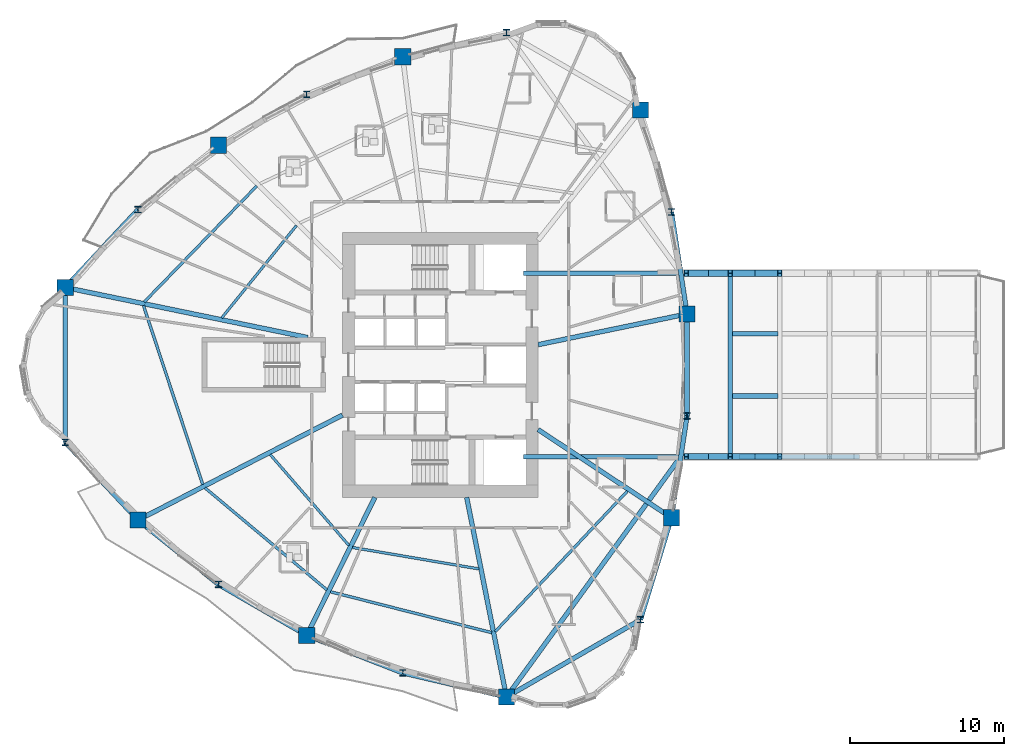
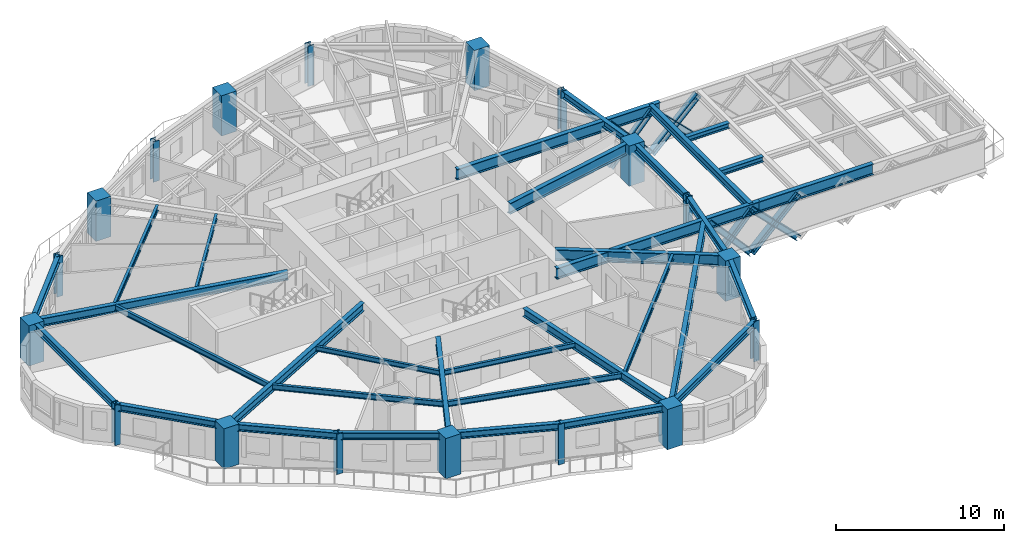
# One storey, part 1 of 16: 33 beams, 18 columns, 8 members.
"""IFC4 building model written with IfcOpenShell, lengths in metres."""

from ifc_helpers import new_model, si_unit, direction, frame, origin, origin_2d, place, context, subcontext, project, spatial, rectangle, i_section, extrude, source, transform, mapped, material, material_profile, profile_set, type_object, element, save


model = new_model("IFC4")

# Units and contexts
model_context = context("Model", 3, precision=1e-05, world=origin(), true_north=direction((0.0, 1.0)))
body_context = subcontext(model_context, "Body", "Model", "MODEL_VIEW")
ifc_project = project(units=[si_unit("LENGTHUNIT", "METRE"), si_unit("AREAUNIT", "SQUARE_METRE"), si_unit("VOLUMEUNIT", "CUBIC_METRE"), si_unit("PLANEANGLEUNIT", "RADIAN"), si_unit("MASSUNIT", "GRAM", prefix="KILO")], contexts=[model_context])

# Site, building, storey
site_placement = place(None, origin())
site = spatial("IfcSite", under=ifc_project, at=site_placement, CompositionType="ELEMENT")
building_placement = place(site_placement, origin())
building = spatial("IfcBuilding", under=site, at=building_placement, Name="Qafzar Sky-Pleat Residences", CompositionType="ELEMENT")
storey_placement = place(building_placement, frame((0.0, 0.0, 30.199951171875)))
storey = spatial("IfcBuildingStorey", under=building, at=storey_placement, Name="L08", CompositionType="ELEMENT", Elevation=30.199951171875)

# Columns
ifc_material_1 = material(Name="Concrete C60/75", Category="concrete")
ifc_material_profile_1 = material_profile(ifc_material_1, rectangle(XDim=1.050048828125, YDim=1.050048828125, at=origin_2d()), Name="RC 1050x1050")
ifc_profile_set_1 = profile_set([ifc_material_profile_1], Name="Concrete C60/75")
column_type_1 = type_object("IfcColumnType", Name="COL-RC-1050", PredefinedType="COLUMN", material=ifc_profile_set_1)
shared_shape_1 = source(origin(), body_context, "Body", "SweptSolid", [
    extrude(rectangle(XDim=1.050048828125, YDim=1.050048828125, at=origin_2d()), origin(), (0.0, 0.0, 1.0), 2.93505859375),
])
for number, where, z_axis, x_axis, name in (
    (1, (6.010009765625, 31.02294921875, 0.0), (0.0, 0.0, 1.0), (1.0, 0.0, 0.0), "L08 Perimeter Mega Column 1"),
    (2, (10.731689453125, 15.9296875, 0.0), (0.0, 0.0, 1.0), (1.0, 0.0, 0.0), "L08 Perimeter Mega Column 3"),
    (3, (21.68310546875, 8.446044921875, 0.0), (0.0, 0.0, 1.0), (1.0, 0.0, 0.0), "L08 Perimeter Mega Column 5"),
    (4, (34.64501953125, 4.444580078125, 0.0), (0.0, 0.0, 1.0), (1.0, 0.0, 0.0), "L08 Perimeter Mega Column 7"),
    (5, (45.355224609375, 16.08056640625, 0.0), (0.0, 0.0, 1.0), (1.0, 0.0, 0.0), "L08 Perimeter Mega Column 9"),
    (6, (46.360595703125, 29.306396484375, 0.0), (0.0, 0.0, 1.0), (1.0, 0.0, 0.0), "L08 Perimeter Mega Column 11"),
    (7, (43.344970703125, 42.532470703125, 0.0), (0.0, 0.0, 1.0), (1.0, 0.0, 0.0), "L08 Perimeter Mega Column 13"),
    (8, (27.912841796875, 45.989990234375, 0.0), (0.0, 0.0, 1.0), (1.0, 0.0, 0.0), "L08 Perimeter Mega Column 15"),
    (9, (15.956298828125, 40.247314453125, 0.0), (0.0, 0.0, 1.0), (1.0, 0.0, 0.0), "L08 Perimeter Mega Column 17"),
):
    element("IfcColumn", number, at=place(storey_placement, frame(where, z_axis=z_axis, x_axis=x_axis)), inside=storey, type_object=column_type_1, Name=name, PredefinedType="COLUMN", context=body_context, shape_type="MappedRepresentation", body=[
        mapped(shared_shape_1, transform((0.0, 0.0, 0.0), x_axis=(1.0, 0.0, 0.0), y_axis=(0.0, 1.0, 0.0), z_axis=(0.0, 0.0, 1.0), scale=1.0)),
    ])
ifc_material_2 = material(Name="Steel S460", Category="steel")
ifc_material_profile_2 = material_profile(ifc_material_2, i_section(OverallWidth=0.408935546875, OverallDepth=0.425048828125, WebThickness=0.030029296875, FlangeThickness=0.048095703125, FilletRadius=0.014892578125, at=origin_2d()), Name="HD 400x421")
ifc_profile_set_2 = profile_set([ifc_material_profile_2], Name="Steel S460")
column_type_2 = type_object("IfcColumnType", Name="COL-STL-HD421", PredefinedType="PILASTER", material=ifc_profile_set_2)
shared_shape_2 = source(origin(), body_context, "Body", "SweptSolid", [
    extrude(i_section(OverallWidth=0.408935546875, OverallDepth=0.425048828125, WebThickness=0.030029296875, FlangeThickness=0.048095703125, FilletRadius=0.014892578125, at=origin_2d()), origin(), (0.0, 0.0, 1.0), 2.93505859375),
])
for number, where, z_axis, x_axis, name in (
    (10, (6.010009765625, 20.97705078125, 0.0), (0.0, 0.0, 1.0), (1.0, 0.0, 0.0), "L08 Perimeter Mega Column 2"),
    (11, (15.956298828125, 11.752685546875, 0.0), (0.0, 0.0, 1.0), (1.0, 0.0, 0.0), "L08 Perimeter Mega Column 4"),
    (12, (27.912841796875, 6.010009765625, 0.0), (0.0, 0.0, 1.0), (1.0, 0.0, 0.0), "L08 Perimeter Mega Column 6"),
    (13, (43.344970703125, 9.467529296875, 0.0), (0.0, 0.0, 1.0), (1.0, 0.0, 0.0), "L08 Perimeter Mega Column 8"),
    (14, (46.360595703125, 22.693603515625, 0.0), (0.0, 0.0, 1.0), (1.0, 0.0, 0.0), "L08 Perimeter Mega Column 10"),
    (15, (45.355224609375, 35.91943359375, 0.0), (0.0, 0.0, 1.0), (1.0, 0.0, 0.0), "L08 Perimeter Mega Column 12"),
    (16, (34.64501953125, 47.555419921875, 0.0), (0.0, 0.0, 1.0), (1.0, 0.0, 0.0), "L08 Perimeter Mega Column 14"),
    (17, (21.68310546875, 43.553955078125, 0.0), (0.0, 0.0, 1.0), (1.0, 0.0, 0.0), "L08 Perimeter Mega Column 16"),
    (18, (10.731689453125, 36.0703125, 0.0), (0.0, 0.0, 1.0), (1.0, 0.0, 0.0), "L08 Perimeter Mega Column 18"),
):
    element("IfcColumn", number, at=place(storey_placement, frame(where, z_axis=z_axis, x_axis=x_axis)), inside=storey, type_object=column_type_2, Name=name, PredefinedType="PILASTER", context=body_context, shape_type="MappedRepresentation", body=[
        mapped(shared_shape_2, transform((0.0, 0.0, 0.0), x_axis=(1.0, 0.0, 0.0), y_axis=(0.0, 1.0, 0.0), z_axis=(0.0, 0.0, 1.0), scale=1.0)),
    ])

# Beams
ifc_material_3 = material(Name="Steel S355", Category="steel")
ifc_material_profile_3 = material_profile(ifc_material_3, i_section(OverallWidth=0.300048828125, OverallDepth=0.5, WebThickness=0.014404296875, FlangeThickness=0.028076171875, FilletRadius=0.027099609375, at=origin_2d()), Name="HEB 500")
ifc_profile_set_3 = profile_set([ifc_material_profile_3], Name="Steel S355")
beam_type_1 = type_object("IfcBeamType", Name="BM-SPAN-HEB500", PredefinedType="SPANDREL", material=ifc_profile_set_3)
shared_shape_3 = source(origin(), body_context, "Body", "SweptSolid", [
    extrude(i_section(OverallWidth=0.300048828125, OverallDepth=0.5, WebThickness=0.014404296875, FlangeThickness=0.028076171875, FilletRadius=0.027099609375, at=origin_2d()), origin(), (0.0, 0.0, 1.0), 10.0458984375),
])
for number, where, z_axis, x_axis, name in (
    (19, (6.010009765625, 31.02294921875, 2.68310546875), (0.0, -1.0, 0.0), (1.0, 0.0, 0.0), "L08 Perimeter Spandrel Beam 1"),
    (20, (34.64501953125, 4.444580078125, 2.68310546875), (0.866024107753, 0.500002244785, 0.0), (-0.500002244785, 0.866024107753, 0.0), "L08 Perimeter Spandrel Beam 7"),
):
    element("IfcBeam", number, at=place(storey_placement, frame(where, z_axis=z_axis, x_axis=x_axis)), inside=storey, type_object=beam_type_1, Name=name, PredefinedType="SPANDREL", context=body_context, shape_type="MappedRepresentation", body=[
        mapped(shared_shape_3, transform((0.0, 0.0, 0.0), x_axis=(1.0, 0.0, 0.0), y_axis=(0.0, 1.0, 0.0), z_axis=(0.0, 0.0, 1.0), scale=1.0)),
    ])
shared_shape_4 = source(origin(), body_context, "Body", "SweptSolid", [
    extrude(i_section(OverallWidth=0.300048828125, OverallDepth=0.5, WebThickness=0.014404296875, FlangeThickness=0.028076171875, FilletRadius=0.027099609375, at=origin_2d()), origin(), (0.0, 0.0, 1.0), 6.91162109375),
])
for number, where, z_axis, x_axis, name in (
    (21, (6.010009765625, 20.97705078125, 2.68310546875), (0.683153482739, -0.73027482431, 0.0), (0.73027482431, 0.683153482739, 0.0), "L08 Perimeter Spandrel Beam 2"),
    (22, (10.731689453125, 36.0703125, 2.68310546875), (-0.683153482739, -0.73027482431, 0.0), (0.73027482431, -0.683153482739, 0.0), "L08 Perimeter Spandrel Beam 18"),
):
    element("IfcBeam", number, at=place(storey_placement, frame(where, z_axis=z_axis, x_axis=x_axis)), inside=storey, type_object=beam_type_1, Name=name, PredefinedType="SPANDREL", context=body_context, shape_type="MappedRepresentation", body=[
        mapped(shared_shape_4, transform((0.0, 0.0, 0.0), x_axis=(1.0, 0.0, 0.0), y_axis=(0.0, 1.0, 0.0), z_axis=(0.0, 0.0, 1.0), scale=1.0)),
    ])
shared_shape_5 = source(origin(), body_context, "Body", "SweptSolid", [
    extrude(i_section(OverallWidth=0.300048828125, OverallDepth=0.5, WebThickness=0.014404296875, FlangeThickness=0.028076171875, FilletRadius=0.027099609375, at=origin_2d()), origin(), (0.0, 0.0, 1.0), 6.689208984375),
])
beam_1_placement = place(storey_placement, frame((10.731689453125, 15.9296875, 2.68310546875), z_axis=(0.781064615855, -0.624450210872, 0.0), x_axis=(0.624450210872, 0.781064615855, 0.0)))
element("IfcBeam", 23, at=beam_1_placement, inside=storey, type_object=beam_type_1, Name="L08 Perimeter Spandrel Beam 3", PredefinedType="SPANDREL", context=body_context, shape_type="MappedRepresentation", body=[
    mapped(shared_shape_5, transform((0.0, 0.0, 0.0), x_axis=(1.0, 0.0, 0.0), y_axis=(0.0, 1.0, 0.0), z_axis=(0.0, 0.0, 1.0), scale=1.0)),
])
shared_shape_6 = source(origin(), body_context, "Body", "SweptSolid", [
    extrude(i_section(OverallWidth=0.300048828125, OverallDepth=0.5, WebThickness=0.014404296875, FlangeThickness=0.028076171875, FilletRadius=0.027099609375, at=origin_2d()), origin(), (0.0, 0.0, 1.0), 6.61279296875),
])
for number, where, z_axis, x_axis, name in (
    (24, (15.956298828125, 11.752685546875, 2.68310546875), (0.866007902399, -0.500030312064, 0.0), (0.500030312064, 0.866007902399, 0.0), "L08 Perimeter Spandrel Beam 4"),
    (25, (46.360595703125, 22.693603515625, 2.68310546875), (0.0, 1.0, 0.0), (-1.0, 0.0, 0.0), "L08 Perimeter Spandrel Beam 10"),
):
    element("IfcBeam", number, at=place(storey_placement, frame(where, z_axis=z_axis, x_axis=x_axis)), inside=storey, type_object=beam_type_1, Name=name, PredefinedType="SPANDREL", context=body_context, shape_type="MappedRepresentation", body=[
        mapped(shared_shape_6, transform((0.0, 0.0, 0.0), x_axis=(1.0, 0.0, 0.0), y_axis=(0.0, 1.0, 0.0), z_axis=(0.0, 0.0, 1.0), scale=1.0)),
    ])
shared_shape_7 = source(origin(), body_context, "Body", "SweptSolid", [
    extrude(i_section(OverallWidth=0.300048828125, OverallDepth=0.5, WebThickness=0.014404296875, FlangeThickness=0.028076171875, FilletRadius=0.027099609375, at=origin_2d()), origin(), (0.0, 0.0, 1.0), 6.68896484375),
])
for number, where, z_axis, x_axis, name in (
    (26, (21.68310546875, 8.446044921875, 2.68310546875), (0.931328375536, -0.364180527927, 0.0), (0.364180527927, 0.931328375536, 0.0), "L08 Perimeter Spandrel Beam 5"),
    (27, (45.355224609375, 16.08056640625, 2.68310546875), (0.150301631431, 0.98864018712, 0.0), (-0.98864018712, 0.150301631431, 0.0), "L08 Perimeter Spandrel Beam 9"),
    (28, (46.360595703125, 29.306396484375, 2.68310546875), (-0.150301631431, 0.98864018712, 0.0), (-0.98864018712, -0.150301631431, 0.0), "L08 Perimeter Spandrel Beam 11"),
):
    element("IfcBeam", number, at=place(storey_placement, frame(where, z_axis=z_axis, x_axis=x_axis)), inside=storey, type_object=beam_type_1, Name=name, PredefinedType="SPANDREL", context=body_context, shape_type="MappedRepresentation", body=[
        mapped(shared_shape_7, transform((0.0, 0.0, 0.0), x_axis=(1.0, 0.0, 0.0), y_axis=(0.0, 1.0, 0.0), z_axis=(0.0, 0.0, 1.0), scale=1.0)),
    ])
shared_shape_8 = source(origin(), body_context, "Body", "SweptSolid", [
    extrude(i_section(OverallWidth=0.300048828125, OverallDepth=0.5, WebThickness=0.014404296875, FlangeThickness=0.028076171875, FilletRadius=0.027099609375, at=origin_2d()), origin(), (0.0, 0.0, 1.0), 6.911865234375),
])
for number, where, z_axis, x_axis, name in (
    (29, (27.912841796875, 6.010009765625, 2.68310546875), (0.97401418861, -0.226486998273, 0.0), (0.226486998273, 0.97401418861, 0.0), "L08 Perimeter Spandrel Beam 6"),
    (30, (43.344970703125, 9.467529296875, 2.68310546875), (0.290842539179, 0.956770932566, 0.0), (-0.956770932566, 0.290842539179, 0.0), "L08 Perimeter Spandrel Beam 8"),
):
    element("IfcBeam", number, at=place(storey_placement, frame(where, z_axis=z_axis, x_axis=x_axis)), inside=storey, type_object=beam_type_1, Name=name, PredefinedType="SPANDREL", context=body_context, shape_type="MappedRepresentation", body=[
        mapped(shared_shape_8, transform((0.0, 0.0, 0.0), x_axis=(1.0, 0.0, 0.0), y_axis=(0.0, 1.0, 0.0), z_axis=(0.0, 0.0, 1.0), scale=1.0)),
    ])
ifc_material_profile_4 = material_profile(ifc_material_3, i_section(OverallWidth=0.300048828125, OverallDepth=0.60009765625, WebThickness=0.015380859375, FlangeThickness=0.030029296875, FilletRadius=0.027099609375, at=origin_2d()), Name="HEB 600")
ifc_profile_set_4 = profile_set([ifc_material_profile_4], Name="Steel S355")
beam_type_2 = type_object("IfcBeamType", Name="BM-GIRD-HEB600", PredefinedType="BEAM", material=ifc_profile_set_4)
shared_shape_9 = source(origin(), body_context, "Body", "SweptSolid", [
    extrude(i_section(OverallWidth=0.300048828125, OverallDepth=0.60009765625, WebThickness=0.015380859375, FlangeThickness=0.030029296875, FilletRadius=0.027099609375, at=origin_2d()), origin(), (0.0, 0.0, 1.0), 16.0703125),
])
beam_2_placement = place(storey_placement, frame((6.010009765625, 31.02294921875, 2.633056640625), z_axis=(0.979362152627, -0.202113270228, 0.0), x_axis=(0.202113270228, 0.979362152627, 0.0)))
element("IfcBeam", 31, at=beam_2_placement, inside=storey, type_object=beam_type_2, Name="L08 Radial Floor Girder 1", PredefinedType="BEAM", context=body_context, shape_type="MappedRepresentation", body=[
    mapped(shared_shape_9, transform((0.0, 0.0, 0.0), x_axis=(1.0, 0.0, 0.0), y_axis=(0.0, 1.0, 0.0), z_axis=(0.0, 0.0, 1.0), scale=1.0)),
])
shared_shape_10 = source(origin(), body_context, "Body", "SweptSolid", [
    extrude(i_section(OverallWidth=0.300048828125, OverallDepth=0.60009765625, WebThickness=0.015380859375, FlangeThickness=0.030029296875, FilletRadius=0.027099609375, at=origin_2d()), origin(), (0.0, 0.0, 1.0), 14.914306640625),
])
beam_3_placement = place(storey_placement, frame((10.731689453125, 15.9296875, 2.633056640625), z_axis=(0.8896396388, 0.456663238148, 0.0), x_axis=(-0.456663238148, 0.8896396388, 0.0)))
element("IfcBeam", 32, at=beam_3_placement, inside=storey, type_object=beam_type_2, Name="L08 Radial Floor Girder 3", PredefinedType="BEAM", context=body_context, shape_type="MappedRepresentation", body=[
    mapped(shared_shape_10, transform((0.0, 0.0, 0.0), x_axis=(1.0, 0.0, 0.0), y_axis=(0.0, 1.0, 0.0), z_axis=(0.0, 0.0, 1.0), scale=1.0)),
])
shared_shape_11 = source(origin(), body_context, "Body", "SweptSolid", [
    extrude(i_section(OverallWidth=0.300048828125, OverallDepth=0.60009765625, WebThickness=0.015380859375, FlangeThickness=0.030029296875, FilletRadius=0.027099609375, at=origin_2d()), origin(), (0.0, 0.0, 1.0), 9.98583984375),
])
beam_4_placement = place(storey_placement, frame((21.68310546875, 8.446044921875, 2.633056640625), z_axis=(0.442719160925, 0.896660328413, 0.0), x_axis=(-0.896660328413, 0.442719160925, 0.0)))
element("IfcBeam", 33, at=beam_4_placement, inside=storey, type_object=beam_type_2, Name="L08 Radial Floor Girder 5", PredefinedType="BEAM", context=body_context, shape_type="MappedRepresentation", body=[
    mapped(shared_shape_11, transform((0.0, 0.0, 0.0), x_axis=(1.0, 0.0, 0.0), y_axis=(0.0, 1.0, 0.0), z_axis=(0.0, 0.0, 1.0), scale=1.0)),
])
shared_shape_12 = source(origin(), body_context, "Body", "SweptSolid", [
    extrude(i_section(OverallWidth=0.300048828125, OverallDepth=0.60009765625, WebThickness=0.015380859375, FlangeThickness=0.030029296875, FilletRadius=0.027099609375, at=origin_2d()), origin(), (0.0, 0.0, 1.0), 13.2099609375),
])
beam_5_placement = place(storey_placement, frame((34.64501953125, 4.444580078125, 2.633056640625), z_axis=(-0.195405255392, 0.980722583693, 0.0), x_axis=(-0.980722583693, -0.195405255392, 0.0)))
element("IfcBeam", 34, at=beam_5_placement, inside=storey, type_object=beam_type_2, Name="L08 Radial Floor Girder 7", PredefinedType="BEAM", context=body_context, shape_type="MappedRepresentation", body=[
    mapped(shared_shape_12, transform((0.0, 0.0, 0.0), x_axis=(1.0, 0.0, 0.0), y_axis=(0.0, 1.0, 0.0), z_axis=(0.0, 0.0, 1.0), scale=1.0)),
])
ifc_material_profile_5 = material_profile(ifc_material_2, i_section(OverallWidth=0.300048828125, OverallDepth=0.800048828125, WebThickness=0.017578125, FlangeThickness=0.032958984375, FilletRadius=0.030029296875, at=origin_2d()), Name="HEB 800")
ifc_profile_set_5 = profile_set([ifc_material_profile_5], Name="Steel S460")
beam_type_3 = type_object("IfcBeamType", Name="BM-CHORD-HEB800", PredefinedType="BEAM", material=ifc_profile_set_5)
shared_shape_13 = source(origin(), body_context, "Body", "SweptSolid", [
    extrude(i_section(OverallWidth=0.300048828125, OverallDepth=0.800048828125, WebThickness=0.017578125, FlangeThickness=0.032958984375, FilletRadius=0.030029296875, at=origin_2d()), origin(), (0.0, 0.0, 1.0), 10.37548828125),
])
beam_6_placement = place(storey_placement, frame((45.355224609375, 16.08056640625, 2.532958984375), z_axis=(-0.834201561664, 0.551459658105, 0.0), x_axis=(-0.551459658105, -0.834201561664, 0.0)))
element("IfcBeam", 35, at=beam_6_placement, inside=storey, type_object=beam_type_3, Name="L08 Radial Floor Girder 9", PredefinedType="BEAM", context=body_context, shape_type="MappedRepresentation", body=[
    mapped(shared_shape_13, transform((0.0, 0.0, 0.0), x_axis=(1.0, 0.0, 0.0), y_axis=(0.0, 1.0, 0.0), z_axis=(0.0, 0.0, 1.0), scale=1.0)),
])
shared_shape_14 = source(origin(), body_context, "Body", "SweptSolid", [
    extrude(i_section(OverallWidth=0.300048828125, OverallDepth=0.800048828125, WebThickness=0.017578125, FlangeThickness=0.032958984375, FilletRadius=0.030029296875, at=origin_2d()), origin(), (0.0, 0.0, 1.0), 9.864501953125),
])
beam_7_placement = place(storey_placement, frame((46.360595703125, 29.306396484375, 2.532958984375), z_axis=(-0.979333503266, -0.202252044192, 0.0), x_axis=(0.202252044192, -0.979333503266, 0.0)))
element("IfcBeam", 36, at=beam_7_placement, inside=storey, type_object=beam_type_3, Name="L08 Radial Floor Girder 11", PredefinedType="BEAM", context=body_context, shape_type="MappedRepresentation", body=[
    mapped(shared_shape_14, transform((0.0, 0.0, 0.0), x_axis=(1.0, 0.0, 0.0), y_axis=(0.0, 1.0, 0.0), z_axis=(0.0, 0.0, 1.0), scale=1.0)),
])
ifc_material_profile_6 = material_profile(ifc_material_3, i_section(OverallWidth=0.179931640625, OverallDepth=0.39990234375, WebThickness=0.008544921875, FlangeThickness=0.013427734375, FilletRadius=0.02099609375, at=origin_2d()), Name="IPE 400")
ifc_profile_set_6 = profile_set([ifc_material_profile_6], Name="Steel S355")
beam_type_4 = type_object("IfcBeamType", Name="BM-JST-IPE400", PredefinedType="JOIST", material=ifc_profile_set_6)
shared_shape_15 = source(origin(), body_context, "Body", "SweptSolid", [
    extrude(i_section(OverallWidth=0.179931640625, OverallDepth=0.39990234375, WebThickness=0.008544921875, FlangeThickness=0.013427734375, FilletRadius=0.02099609375, at=origin_2d()), origin(), (0.0, 0.0, 1.0), 12.23828125),
])
beam_8_placement = place(storey_placement, frame((11.0888671875, 29.85546875, 2.733154296875), z_axis=(0.31429406639, -0.949325676379, 0.0), x_axis=(0.949325676379, 0.31429406639, 0.0)))
element("IfcBeam", 37, at=beam_8_placement, inside=storey, type_object=beam_type_4, Name="L08 Outer Secondary Floor Joist 1", PredefinedType="JOIST", context=body_context, shape_type="MappedRepresentation", body=[
    mapped(shared_shape_15, transform((0.0, 0.0, 0.0), x_axis=(1.0, 0.0, 0.0), y_axis=(0.0, 1.0, 0.0), z_axis=(0.0, 0.0, 1.0), scale=1.0)),
])
shared_shape_16 = source(origin(), body_context, "Body", "SweptSolid", [
    extrude(i_section(OverallWidth=0.179931640625, OverallDepth=0.39990234375, WebThickness=0.008544921875, FlangeThickness=0.013427734375, FilletRadius=0.02099609375, at=origin_2d()), origin(), (0.0, 0.0, 1.0), 10.320068359375),
])
beam_9_placement = place(storey_placement, frame((15.0810546875, 18.0224609375, 2.733154296875), z_axis=(0.766786376257, -0.641902370448, 0.0), x_axis=(0.641902370448, 0.766786376257, 0.0)))
element("IfcBeam", 38, at=beam_9_placement, inside=storey, type_object=beam_type_4, Name="L08 Outer Secondary Floor Joist 2", PredefinedType="JOIST", context=body_context, shape_type="MappedRepresentation", body=[
    mapped(shared_shape_16, transform((0.0, 0.0, 0.0), x_axis=(1.0, 0.0, 0.0), y_axis=(0.0, 1.0, 0.0), z_axis=(0.0, 0.0, 1.0), scale=1.0)),
])
shared_shape_17 = source(origin(), body_context, "Body", "SweptSolid", [
    extrude(i_section(OverallWidth=0.179931640625, OverallDepth=0.39990234375, WebThickness=0.008544921875, FlangeThickness=0.013427734375, FilletRadius=0.02099609375, at=origin_2d()), origin(), (0.0, 0.0, 1.0), 10.790771484375),
])
beam_10_placement = place(storey_placement, frame((23.228759765625, 11.278076171875, 2.733154296875), z_axis=(0.969269912633, -0.24599966761, 0.0), x_axis=(0.24599966761, 0.969269912633, 0.0)))
element("IfcBeam", 39, at=beam_10_placement, inside=storey, type_object=beam_type_4, Name="L08 Outer Secondary Floor Joist 3", PredefinedType="JOIST", context=body_context, shape_type="MappedRepresentation", body=[
    mapped(shared_shape_17, transform((0.0, 0.0, 0.0), x_axis=(1.0, 0.0, 0.0), y_axis=(0.0, 1.0, 0.0), z_axis=(0.0, 0.0, 1.0), scale=1.0)),
])
shared_shape_18 = source(origin(), body_context, "Body", "SweptSolid", [
    extrude(i_section(OverallWidth=0.179931640625, OverallDepth=0.39990234375, WebThickness=0.008544921875, FlangeThickness=0.013427734375, FilletRadius=0.02099609375, at=origin_2d()), origin(), (0.0, 0.0, 1.0), 12.52587890625),
])
beam_11_placement = place(storey_placement, frame((33.911376953125, 8.688720703125, 2.733154296875), z_axis=(0.685120864749, 0.728429406796, 0.0), x_axis=(-0.728429406796, 0.685120864749, 0.0)))
element("IfcBeam", 40, at=beam_11_placement, inside=storey, type_object=beam_type_4, Name="L08 Outer Secondary Floor Joist 4", PredefinedType="JOIST", context=body_context, shape_type="MappedRepresentation", body=[
    mapped(shared_shape_18, transform((0.0, 0.0, 0.0), x_axis=(1.0, 0.0, 0.0), y_axis=(0.0, 1.0, 0.0), z_axis=(0.0, 0.0, 1.0), scale=1.0)),
])
shared_shape_19 = source(origin(), body_context, "Body", "SweptSolid", [
    extrude(i_section(OverallWidth=0.179931640625, OverallDepth=0.39990234375, WebThickness=0.008544921875, FlangeThickness=0.013427734375, FilletRadius=0.02099609375, at=origin_2d()), origin(), (0.0, 0.0, 1.0), 10.479248046875),
])
beam_12_placement = place(storey_placement, frame((18.436279296875, 37.602783203125, 2.733154296875), z_axis=(-0.696225879391, -0.71782276703, 0.0), x_axis=(0.71782276703, -0.696225879391, 0.0)))
element("IfcBeam", 41, at=beam_12_placement, inside=storey, type_object=beam_type_4, Name="L08 Outer Secondary Floor Joist 9", PredefinedType="JOIST", context=body_context, shape_type="MappedRepresentation", body=[
    mapped(shared_shape_19, transform((0.0, 0.0, 0.0), x_axis=(1.0, 0.0, 0.0), y_axis=(0.0, 1.0, 0.0), z_axis=(0.0, 0.0, 1.0), scale=1.0)),
])
ifc_material_profile_7 = material_profile(ifc_material_3, i_section(OverallWidth=0.169921875, OverallDepth=0.360107421875, WebThickness=0.008056640625, FlangeThickness=0.0126953125, FilletRadius=0.01806640625, at=origin_2d()), Name="IPE 360")
ifc_profile_set_7 = profile_set([ifc_material_profile_7], Name="Steel S355")
beam_type_5 = type_object("IfcBeamType", Name="BM-JST-IPE360", PredefinedType="JOIST", material=ifc_profile_set_7)
shared_shape_20 = source(origin(), body_context, "Body", "SweptSolid", [
    extrude(i_section(OverallWidth=0.169921875, OverallDepth=0.360107421875, WebThickness=0.008056640625, FlangeThickness=0.0126953125, FilletRadius=0.01806640625, at=origin_2d()), origin(), (0.0, 0.0, 1.0), 7.8125),
])
beam_13_placement = place(storey_placement, frame((19.311767578125, 20.186279296875, 2.7529296875), z_axis=(0.654399766745, -0.7561487587, 0.0), x_axis=(0.7561487587, 0.654399766745, 0.0)))
element("IfcBeam", 42, at=beam_13_placement, inside=storey, type_object=beam_type_5, Name="L08 Inner Secondary Floor Joist 2", PredefinedType="JOIST", context=body_context, shape_type="MappedRepresentation", body=[
    mapped(shared_shape_20, transform((0.0, 0.0, 0.0), x_axis=(1.0, 0.0, 0.0), y_axis=(0.0, 1.0, 0.0), z_axis=(0.0, 0.0, 1.0), scale=1.0)),
])
shared_shape_21 = source(origin(), body_context, "Body", "SweptSolid", [
    extrude(i_section(OverallWidth=0.169921875, OverallDepth=0.360107421875, WebThickness=0.008056640625, FlangeThickness=0.0126953125, FilletRadius=0.01806640625, at=origin_2d()), origin(), (0.0, 0.0, 1.0), 8.33203125),
])
beam_14_placement = place(storey_placement, frame((24.6455078125, 14.154052734375, 2.7529296875), z_axis=(0.985879172395, -0.167458225948, 0.0), x_axis=(0.167458225948, 0.985879172395, 0.0)))
element("IfcBeam", 43, at=beam_14_placement, inside=storey, type_object=beam_type_5, Name="L08 Inner Secondary Floor Joist 3", PredefinedType="JOIST", context=body_context, shape_type="MappedRepresentation", body=[
    mapped(shared_shape_21, transform((0.0, 0.0, 0.0), x_axis=(1.0, 0.0, 0.0), y_axis=(0.0, 1.0, 0.0), z_axis=(0.0, 0.0, 1.0), scale=1.0)),
])
shared_shape_22 = source(origin(), body_context, "Body", "SweptSolid", [
    extrude(i_section(OverallWidth=0.169921875, OverallDepth=0.360107421875, WebThickness=0.008056640625, FlangeThickness=0.0126953125, FilletRadius=0.01806640625, at=origin_2d()), origin(), (0.0, 0.0, 1.0), 7.714111328125),
])
beam_15_placement = place(storey_placement, frame((21.019287109375, 35.046875, 2.7529296875), z_axis=(-0.628915953296, -0.777473294519, 0.0), x_axis=(0.777473294519, -0.628915953296, 0.0)))
element("IfcBeam", 44, at=beam_15_placement, inside=storey, type_object=beam_type_5, Name="L08 Inner Secondary Floor Joist 9", PredefinedType="JOIST", context=body_context, shape_type="MappedRepresentation", body=[
    mapped(shared_shape_22, transform((0.0, 0.0, 0.0), x_axis=(1.0, 0.0, 0.0), y_axis=(0.0, 1.0, 0.0), z_axis=(0.0, 0.0, 1.0), scale=1.0)),
])
shared_shape_23 = source(origin(), body_context, "Body", "SweptSolid", [
    extrude(i_section(OverallWidth=0.300048828125, OverallDepth=0.800048828125, WebThickness=0.017578125, FlangeThickness=0.032958984375, FilletRadius=0.030029296875, at=origin_2d()), origin(), (0.0, 0.0, 1.0), 14.0048828125),
])
for number, where, z_axis, x_axis, name in (
    (45, (35.75, 31.949951171875, 2.532958984375), (1.0, 0.0, 0.0), (0.0, 1.0, 0.0), "L08 SB-1 Truss Chord L1"),
    (46, (35.75, 20.050048828125, 2.532958984375), (1.0, 0.0, 0.0), (0.0, 1.0, 0.0), "L08 SB-1 Truss Chord R1"),
):
    element("IfcBeam", number, at=place(storey_placement, frame(where, z_axis=z_axis, x_axis=x_axis)), inside=storey, type_object=beam_type_3, Name=name, PredefinedType="BEAM", context=body_context, shape_type="MappedRepresentation", body=[
        mapped(shared_shape_23, transform((0.0, 0.0, 0.0), x_axis=(1.0, 0.0, 0.0), y_axis=(0.0, 1.0, 0.0), z_axis=(0.0, 0.0, 1.0), scale=1.0)),
    ])
shared_shape_24 = source(origin(), body_context, "Body", "SweptSolid", [
    extrude(i_section(OverallWidth=0.300048828125, OverallDepth=0.800048828125, WebThickness=0.017578125, FlangeThickness=0.032958984375, FilletRadius=0.030029296875, at=origin_2d()), origin(), (0.0, 0.0, 1.0), 7.809814453125),
])
beam_16_placement = place(storey_placement, frame((49.7451171875, 20.050048828125, 2.532958984375), z_axis=(1.0, 0.0, 0.0), x_axis=(0.0, 1.0, 0.0)))
element("IfcBeam", 47, at=beam_16_placement, inside=storey, type_object=beam_type_3, Name="L08 SB-1 Truss Chord R2", PredefinedType="BEAM", context=body_context, shape_type="MappedRepresentation", body=[
    mapped(shared_shape_24, transform((0.0, 0.0, 0.0), x_axis=(1.0, 0.0, 0.0), y_axis=(0.0, 1.0, 0.0), z_axis=(0.0, 0.0, 1.0), scale=1.0)),
])

# Members
ifc_material_profile_8 = material_profile(ifc_material_2, i_section(OverallWidth=0.40087890625, OverallDepth=0.39892578125, WebThickness=0.02294921875, FlangeThickness=0.035888671875, FilletRadius=0.014892578125, at=origin_2d()), Name="HD 400x314")
ifc_profile_set_8 = profile_set([ifc_material_profile_8], Name="Steel S460")
member_type = type_object("IfcMemberType", Name="MEM-SB-DIAG", PredefinedType="BRACE", material=ifc_profile_set_8)
shared_shape_25 = source(origin(), body_context, "Body", "SweptSolid", [
    extrude(i_section(OverallWidth=0.40087890625, OverallDepth=0.39892578125, WebThickness=0.02294921875, FlangeThickness=0.035888671875, FilletRadius=0.014892578125, at=origin_2d()), origin(), (0.0, 0.0, 1.0), 4.2900390625),
])
for number, where, z_axis, x_axis, name in (
    (48, (46.31005859375, 31.949951171875, -0.6669921875), (0.666057611592, 0.0, 0.745900300336), (0.0, 1.0, 0.0), "L08 SB-1 Truss Web Diagonal L1A"),
    (49, (46.31005859375, 31.949951171875, 2.532958984375), (0.666057611592, 0.0, -0.745900300336), (0.0, 1.0, 0.0), "L08 SB-1 Truss Web Diagonal L1B"),
    (50, (46.31005859375, 20.050048828125, -0.6669921875), (0.666057611592, 0.0, 0.745900300336), (0.0, 1.0, 0.0), "L08 SB-1 Truss Web Diagonal R1A"),
    (51, (46.31005859375, 20.050048828125, 2.532958984375), (0.666057611592, 0.0, -0.745900300336), (0.0, 1.0, 0.0), "L08 SB-1 Truss Web Diagonal R1B"),
):
    element("IfcMember", number, at=place(storey_placement, frame(where, z_axis=z_axis, x_axis=x_axis)), inside=storey, type_object=member_type, Name=name, PredefinedType="BRACE", context=body_context, shape_type="MappedRepresentation", body=[
        mapped(shared_shape_25, transform((0.0, 0.0, 0.0), x_axis=(1.0, 0.0, 0.0), y_axis=(0.0, 1.0, 0.0), z_axis=(0.0, 0.0, 1.0), scale=1.0)),
    ])
shared_shape_26 = source(origin(), body_context, "Body", "SweptSolid", [
    extrude(i_section(OverallWidth=0.40087890625, OverallDepth=0.39892578125, WebThickness=0.02294921875, FlangeThickness=0.035888671875, FilletRadius=0.014892578125, at=origin_2d()), origin(), (0.0, 0.0, 1.0), 4.53759765625),
])
for number, where, z_axis, x_axis, name in (
    (52, (49.16748046875, 31.949951171875, -0.6669921875), (0.709014203419, 0.0, 0.705194199743), (0.0, 1.0, 0.0), "L08 SB-1 Truss Web Diagonal L2A"),
    (53, (49.16748046875, 31.949951171875, 2.532958984375), (0.709014203419, 0.0, -0.705194199743), (0.0, 1.0, 0.0), "L08 SB-1 Truss Web Diagonal L2B"),
    (54, (49.16748046875, 20.050048828125, -0.6669921875), (0.709014203419, 0.0, 0.705194199743), (0.0, 1.0, 0.0), "L08 SB-1 Truss Web Diagonal R2A"),
    (55, (49.16748046875, 20.050048828125, 2.532958984375), (0.709014203419, 0.0, -0.705194199743), (0.0, 1.0, 0.0), "L08 SB-1 Truss Web Diagonal R2B"),
):
    element("IfcMember", number, at=place(storey_placement, frame(where, z_axis=z_axis, x_axis=x_axis)), inside=storey, type_object=member_type, Name=name, PredefinedType="BRACE", context=body_context, shape_type="MappedRepresentation", body=[
        mapped(shared_shape_26, transform((0.0, 0.0, 0.0), x_axis=(1.0, 0.0, 0.0), y_axis=(0.0, 1.0, 0.0), z_axis=(0.0, 0.0, 1.0), scale=1.0)),
    ])

# Beams
shared_shape_27 = source(origin(), body_context, "Body", "SweptSolid", [
    extrude(i_section(OverallWidth=0.300048828125, OverallDepth=0.800048828125, WebThickness=0.017578125, FlangeThickness=0.032958984375, FilletRadius=0.030029296875, at=origin_2d()), origin(), (0.0, 0.0, 1.0), 19.27001953125),
])
beam_17_placement = place(storey_placement, frame((34.64501953125, 4.444580078125, 2.532958984375), z_axis=(0.586660264458, 0.809833152017, 0.0), x_axis=(-0.809833152017, 0.586660264458, 0.0)))
element("IfcBeam", 56, at=beam_17_placement, inside=storey, type_object=beam_type_3, Name="L08 SB-1 Wing-Belt Top Chord R", PredefinedType="BEAM", context=body_context, shape_type="MappedRepresentation", body=[
    mapped(shared_shape_27, transform((0.0, 0.0, 0.0), x_axis=(1.0, 0.0, 0.0), y_axis=(0.0, 1.0, 0.0), z_axis=(0.0, 0.0, 1.0), scale=1.0)),
])
ifc_material_profile_9 = material_profile(ifc_material_3, i_section(OverallWidth=0.300048828125, OverallDepth=0.550048828125, WebThickness=0.014892578125, FlangeThickness=0.029052734375, FilletRadius=0.027099609375, at=origin_2d()), Name="HEB 550")
ifc_profile_set_9 = profile_set([ifc_material_profile_9], Name="Steel S355")
beam_type_6 = type_object("IfcBeamType", Name="BM-GIRD-HEB550", PredefinedType="BEAM", material=ifc_profile_set_9)
shared_shape_28 = source(origin(), body_context, "Body", "SweptSolid", [
    extrude(i_section(OverallWidth=0.300048828125, OverallDepth=0.550048828125, WebThickness=0.014892578125, FlangeThickness=0.029052734375, FilletRadius=0.027099609375, at=origin_2d()), origin(), (0.0, 0.0, 1.0), 11.89990234375),
])
beam_18_placement = place(storey_placement, frame((49.16748046875, 31.949951171875, 2.657958984375), z_axis=(0.0, -1.0, 0.0), x_axis=(1.0, 0.0, 0.0)))
element("IfcBeam", 57, at=beam_18_placement, inside=storey, type_object=beam_type_6, Name="L08 SB-1 Transverse Girder 1", PredefinedType="BEAM", context=body_context, shape_type="MappedRepresentation", body=[
    mapped(shared_shape_28, transform((0.0, 0.0, 0.0), x_axis=(1.0, 0.0, 0.0), y_axis=(0.0, 1.0, 0.0), z_axis=(0.0, 0.0, 1.0), scale=1.0)),
])
ifc_material_profile_10 = material_profile(ifc_material_3, i_section(OverallWidth=0.300048828125, OverallDepth=0.389892578125, WebThickness=0.010986328125, FlangeThickness=0.01904296875, FilletRadius=0.027099609375, at=origin_2d()), Name="HEA 400")
ifc_profile_set_10 = profile_set([ifc_material_profile_10], Name="Steel S355")
beam_type_7 = type_object("IfcBeamType", Name="BM-SBJ-HEA400", PredefinedType="JOIST", material=ifc_profile_set_10)
shared_shape_29 = source(origin(), body_context, "Body", "SweptSolid", [
    extrude(i_section(OverallWidth=0.300048828125, OverallDepth=0.389892578125, WebThickness=0.010986328125, FlangeThickness=0.01904296875, FilletRadius=0.027099609375, at=origin_2d()), origin(), (0.0, 0.0, 1.0), 2.947265625),
])
for number, where, z_axis, x_axis, name in (
    (58, (49.302490234375, 23.97705078125, 2.738037109375), (1.0, 0.0, 0.0), (0.0, 1.0, 0.0), "L08 SB-1 Sky-Bar Secondary Deck Joist 2.1"),
    (59, (49.302490234375, 28.02294921875, 2.738037109375), (1.0, 0.0, 0.0), (0.0, 1.0, 0.0), "L08 SB-1 Sky-Bar Secondary Deck Joist 2.2"),
):
    element("IfcBeam", number, at=place(storey_placement, frame(where, z_axis=z_axis, x_axis=x_axis)), inside=storey, type_object=beam_type_7, Name=name, PredefinedType="JOIST", context=body_context, shape_type="MappedRepresentation", body=[
        mapped(shared_shape_29, transform((0.0, 0.0, 0.0), x_axis=(1.0, 0.0, 0.0), y_axis=(0.0, 1.0, 0.0), z_axis=(0.0, 0.0, 1.0), scale=1.0)),
    ])

save(model, "model.ifc")
